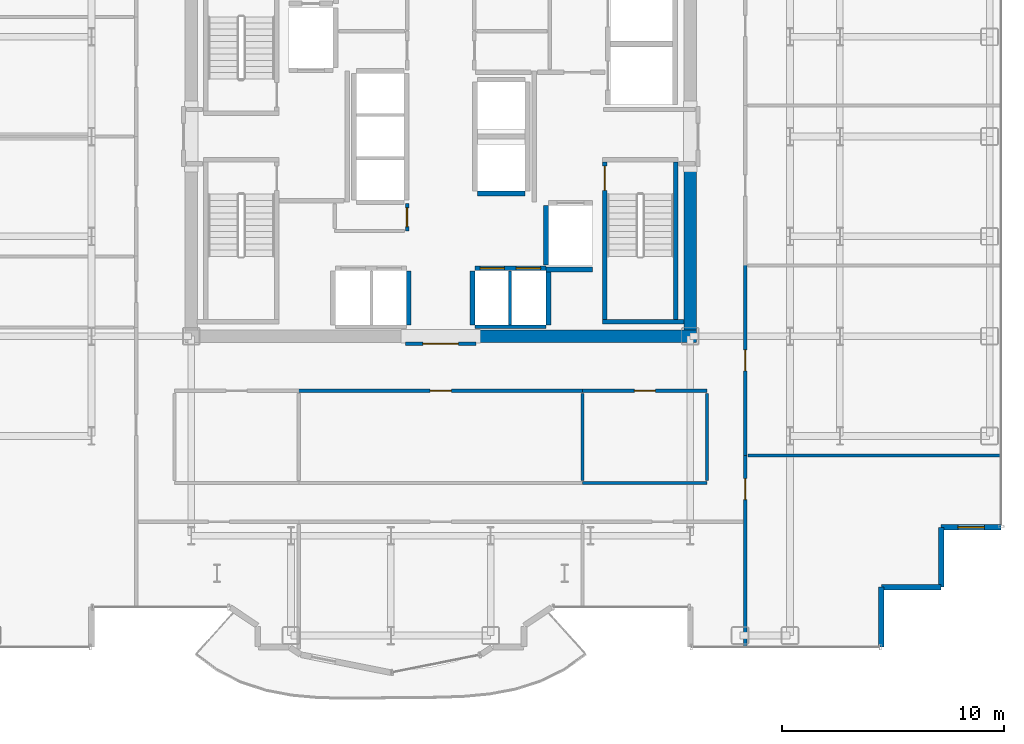
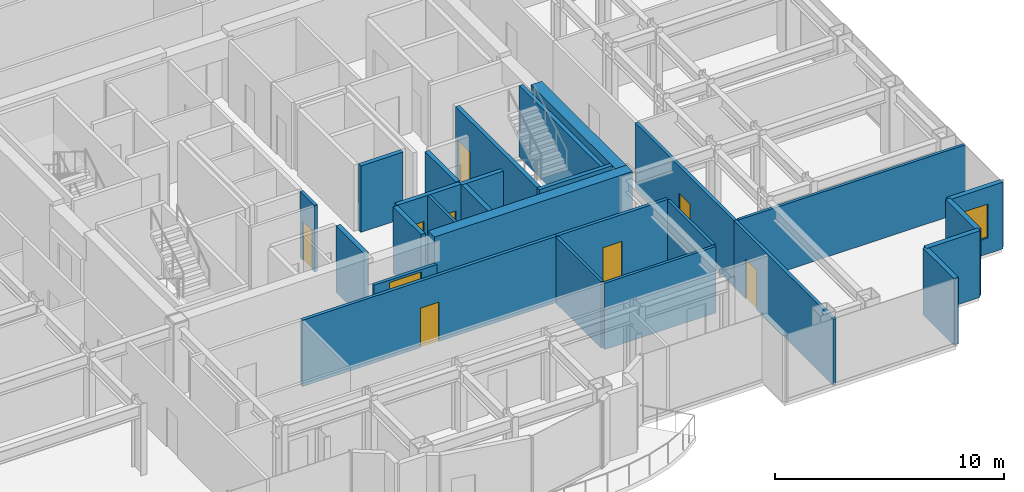
# One storey, part 17 of 22: 28 walls, 9 doors, 1 window, 10 openings.
"""IFC4 building model written with IfcOpenShell, lengths in metres."""

import ifcopenshell
import ifcopenshell.guid

model = None  # the IFC model being written
_history = None  # IfcOwnerHistory: only IFC2X3 demands one
_inside = {}  # id of a spatial element -> (the spatial element, [elements in it])
_under = {}  # id of a project, library or spatial element -> (it, [spatial elements below it])
_declared = {}  # id of a project -> (the project, [libraries it declares])
_typed = {}  # id of a type object -> (the type object, [elements of that type])
_made_of = {}  # id of a material, layer set ... -> (it, [elements and type objects made of it])


def new_model(schema):
    """Start an empty IFC model of exactly this schema.

    Asked for "IFC4X3", IfcOpenShell would pick the latest addendum, in which some entities
    have other attributes; the version numbers below select the first issue.
    IFC2X3 requires an IfcOwnerHistory on every rooted entity: one is made here for all.
    """
    global model, _history
    if schema == "IFC4X3":
        model = ifcopenshell.file(schema_version=(4, 3, 0, 0))
    else:
        model = ifcopenshell.file(schema=schema)
    _inside.clear()
    _under.clear()
    _declared.clear()
    _typed.clear()
    _made_of.clear()
    _history = None
    if model.schema == "IFC2X3":
        org = make("IfcOrganization", Name="unknown")
        user = make(
            "IfcPersonAndOrganization",
            ThePerson=make("IfcPerson", FamilyName="unknown"),
            TheOrganization=org,
        )
        app = make(
            "IfcApplication",
            ApplicationDeveloper=org,
            Version="unknown",
            ApplicationFullName="unknown",
            ApplicationIdentifier="unknown",
        )
        _history = make(
            "IfcOwnerHistory",
            OwningUser=user,
            OwningApplication=app,
            ChangeAction="ADDED",
            CreationDate=0,
        )
    return model


def make(cls, **values):
    """One entity of the class cls with the attributes given. An attribute that is None is left unset."""
    return model.create_entity(
        cls, **{name: value for name, value in values.items() if value is not None}
    )


def rooted(cls, **values):
    """An entity with a GlobalId (a new one), such as an element, a storey or a relation."""
    return make(cls, GlobalId=ifcopenshell.guid.new(), OwnerHistory=_history, **values)


def si_unit(unit_type, name, prefix=None):
    """IfcSIUnit, for example si_unit("LENGTHUNIT", "METRE", prefix="MILLI")."""
    return make("IfcSIUnit", UnitType=unit_type, Prefix=prefix, Name=name)


def assignment(units):
    """IfcUnitAssignment: the units of a project."""
    return None if units is None else make("IfcUnitAssignment", Units=units)


def point(xyz):
    """IfcCartesianPoint."""
    return None if xyz is None else make("IfcCartesianPoint", Coordinates=xyz)


def direction(xyz):
    """IfcDirection."""
    return None if xyz is None else make("IfcDirection", DirectionRatios=xyz)


def frame(location, z_axis=None, x_axis=None):
    """IfcAxis2Placement3D, a coordinate frame: its origin and axes. An axis left out is left unset."""
    return make(
        "IfcAxis2Placement3D",
        Location=point(location),
        Axis=direction(z_axis),
        RefDirection=direction(x_axis),
    )


def frame_2d(location, x_axis=None):
    """IfcAxis2Placement2D, a coordinate frame in the plane: its origin and x axis."""
    return make(
        "IfcAxis2Placement2D", Location=point(location), RefDirection=direction(x_axis)
    )


def origin():
    """The frame at (0, 0, 0) with its axes left unset."""
    return frame((0.0, 0.0, 0.0))


def place(relative_to, where):
    """IfcLocalPlacement: puts the frame where relative to a parent placement (None: the world)."""
    return make(
        "IfcLocalPlacement", PlacementRelTo=relative_to, RelativePlacement=where
    )


def context(
    kind, dimensions, precision=None, world=None, true_north=None, identifier=None
):
    """IfcGeometricRepresentationContext, for example the 3D "Model" context."""
    return make(
        "IfcGeometricRepresentationContext",
        ContextIdentifier=identifier,
        ContextType=kind,
        CoordinateSpaceDimension=dimensions,
        Precision=precision,
        WorldCoordinateSystem=world,
        TrueNorth=true_north,
    )


def subcontext(parent, identifier, kind, view, scale=None):
    """IfcGeometricRepresentationSubContext, for example "Body" below "Model"."""
    return make(
        "IfcGeometricRepresentationSubContext",
        ContextIdentifier=identifier,
        ContextType=kind,
        ParentContext=parent,
        TargetScale=scale,
        TargetView=view,
    )


def project(units=None, contexts=None):
    """IfcProject with its units and contexts."""
    return rooted(
        "IfcProject",
        Name="project",
        RepresentationContexts=contexts,
        UnitsInContext=assignment(units),
    )


def spatial(cls, under=None, at=None, **own):
    """A site, building, storey or space (cls), placed at a placement, below another one or the project."""
    s = rooted(cls, ObjectPlacement=at, **own)
    if under is not None:
        _under.setdefault(under.id(), (under, []))[1].append(s)
    return s


def profile(cls, at=None, kind="AREA", **sizes):
    """A parametric profile (cls). Its sizes go by their IFC names, for example OverallWidth=200.0."""
    return make(cls, ProfileType=kind, Position=at, **sizes)


def rectangle(**sizes):
    """IfcRectangleProfileDef."""
    return profile("IfcRectangleProfileDef", **sizes)


def extrude(swept, where, along, depth):
    """IfcExtrudedAreaSolid: the profile swept, set in the frame where, extruded along a direction by depth."""
    return make(
        "IfcExtrudedAreaSolid",
        SweptArea=swept,
        Position=where,
        ExtrudedDirection=direction(along),
        Depth=depth,
    )


def shape(context_of_items, identifier, shape_type, items):
    """IfcShapeRepresentation: the items that make up one representation, for example the "Body"."""
    return make(
        "IfcShapeRepresentation",
        ContextOfItems=context_of_items,
        RepresentationIdentifier=identifier,
        RepresentationType=shape_type,
        Items=items,
    )


def source(mapping_origin, context_of_items, identifier, shape_type, items):
    """IfcRepresentationMap: a shape defined once, which mapped items show again and again."""
    return make(
        "IfcRepresentationMap",
        MappingOrigin=mapping_origin,
        MappedRepresentation=shape(context_of_items, identifier, shape_type, items),
    )


def transform(
    local_origin,
    x_axis=None,
    y_axis=None,
    z_axis=None,
    scale=None,
    scale2=None,
    scale3=None,
    uniform=True,
):
    """IfcCartesianTransformationOperator3D, or its non-uniform kind. x_axis, y_axis, z_axis: its Axis1, 2, 3."""
    if uniform:
        return make(
            "IfcCartesianTransformationOperator3D",
            Axis1=direction(x_axis),
            Axis2=direction(y_axis),
            LocalOrigin=point(local_origin),
            Scale=scale,
            Axis3=direction(z_axis),
        )
    return make(
        "IfcCartesianTransformationOperator3DnonUniform",
        Axis1=direction(x_axis),
        Axis2=direction(y_axis),
        LocalOrigin=point(local_origin),
        Scale=scale,
        Axis3=direction(z_axis),
        Scale2=scale2,
        Scale3=scale3,
    )


def mapped(mapping_source, mapping_target):
    """IfcMappedItem: shows the shape of a source again, moved by a transform."""
    return make(
        "IfcMappedItem", MappingSource=mapping_source, MappingTarget=mapping_target
    )


def material(Name=None, Category=None):
    """IfcMaterial."""
    return make("IfcMaterial", Name=Name, Category=Category)


def layer(
    of_material, thickness, ventilated=None, Name=None, Category=None, Priority=None
):
    """IfcMaterialLayer: one layer of a wall or slab, of a material (None: an air gap)."""
    return make(
        "IfcMaterialLayer",
        Material=of_material,
        LayerThickness=thickness,
        IsVentilated=ventilated,
        Name=Name,
        Category=Category,
        Priority=Priority,
    )


def layer_set(layers, Name=None):
    """IfcMaterialLayerSet."""
    return make("IfcMaterialLayerSet", MaterialLayers=layers, LayerSetName=Name)


def made_of(thing, what):
    """Note that an element or type object is made of a material, layer set ...; save() writes the relation."""
    if what is not None:
        _made_of.setdefault(what.id(), (what, []))[1].append(thing)
    return thing


def type_object(cls, material=None, **own):
    """A type object (cls), such as IfcWallType, which elements share."""
    return made_of(rooted(cls, **own), material)


def element(
    cls,
    number,
    at=None,
    inside=None,
    cuts=None,
    type_object=None,
    material=None,
    context=None,
    identifier="Body",
    shape_type=None,
    held_by="IfcProductDefinitionShape",
    body=None,
    shapes=None,
    **own,
):
    """One element of the class cls, such as IfcWall. Its Tag is "e" and its number.

    at: its placement. inside: the storey or other place that contains it. cuts: it is an
    opening in that element (IfcRelVoidsElement). A single representation is given by context,
    identifier, shape_type and body (its items); several are given by shapes. held_by: the class
    of the entity that holds the representations. save() writes the other relations.
    """
    e = rooted(cls, Tag="e%d" % number, ObjectPlacement=at, **own)
    if body is not None:
        shapes = [shape(context, identifier, shape_type, body)]
    if shapes is not None:
        e.Representation = make(held_by, Representations=shapes)
    if inside is not None:
        _inside.setdefault(inside.id(), (inside, []))[1].append(e)
    if cuts is not None:
        rooted(
            "IfcRelVoidsElement", RelatingBuildingElement=cuts, RelatedOpeningElement=e
        )
    if type_object is not None:
        _typed.setdefault(type_object.id(), (type_object, []))[1].append(e)
    return made_of(e, material)


def fill(opening, filler):
    """IfcRelFillsElement: the door or window that sits in an opening."""
    return rooted(
        "IfcRelFillsElement",
        RelatingOpeningElement=opening,
        RelatedBuildingElement=filler,
    )


def aggregate(whole, parts):
    """IfcRelAggregates: a whole, such as a stair, and the parts it consists of."""
    return rooted("IfcRelAggregates", RelatingObject=whole, RelatedObjects=parts)


def save(model, path):
    """Write the relations noted so far, then the file.

    IfcRelAggregates (storeys below a building ...), IfcRelContainedInSpatialStructure (elements
    in a storey), IfcRelDefinesByType, IfcRelAssociatesMaterial and IfcRelDeclares: one each for
    every whole, place, type object, material and project.
    """
    for whole, parts in _under.values():
        aggregate(whole, parts)
    for where, things in _inside.values():
        rooted(
            "IfcRelContainedInSpatialStructure",
            RelatedElements=things,
            RelatingStructure=where,
        )
    for kind, things in _typed.values():
        rooted("IfcRelDefinesByType", RelatedObjects=things, RelatingType=kind)
    for what, things in _made_of.values():
        rooted("IfcRelAssociatesMaterial", RelatedObjects=things, RelatingMaterial=what)
    for by, libraries in _declared.values():
        rooted("IfcRelDeclares", RelatingContext=by, RelatedDefinitions=libraries)
    model.write(path)


model = new_model("IFC4")

# Units and contexts
model_context = context("Model", 3, precision=1e-05, world=origin(), true_north=direction((0.0, 1.0)))
body_context = subcontext(model_context, "Body", "Model", "MODEL_VIEW")
ifc_project = project(units=[si_unit("LENGTHUNIT", "METRE"), si_unit("AREAUNIT", "SQUARE_METRE"), si_unit("VOLUMEUNIT", "CUBIC_METRE"), si_unit("PLANEANGLEUNIT", "RADIAN"), si_unit("MASSUNIT", "GRAM", prefix="KILO")], contexts=[model_context])

# Site, building, storey
site_placement = place(None, origin())
site = spatial("IfcSite", under=ifc_project, at=site_placement, CompositionType="ELEMENT")
building_placement = place(site_placement, origin())
building = spatial("IfcBuilding", under=site, at=building_placement, Name="Nefas-Gora Pilgrimage Tower", CompositionType="ELEMENT")
storey_placement = place(building_placement, frame((0.0, 0.0, 186.800048828125)))
storey = spatial("IfcBuildingStorey", under=building, at=storey_placement, Name="L46", CompositionType="ELEMENT", Elevation=186.800048828125)

# Walls
ifc_material_1 = material(Name="Concrete C60/75", Category="concrete")
ifc_layer_1 = layer(ifc_material_1, 0.550048828125)
ifc_layer_set_1 = layer_set([ifc_layer_1], Name="Concrete C60/75")
wall_type_1 = type_object("IfcWallType", Name="SW-CORE-550", PredefinedType="SHEAR", material=ifc_layer_set_1)
shared_shape_1 = source(origin(), body_context, "Body", "SweptSolid", [
    extrude(rectangle(XDim=9.974853515625, YDim=0.550048828125, at=frame_2d((4.9873046875, 0.0))), origin(), (0.0, 0.0, 1.0), 3.800048828125),
])
wall_1_placement = place(storey_placement, frame((1.550048828125, -9.0, 0.0), z_axis=(0.0, 0.0, 1.0), x_axis=(1.0, 0.0, 0.0)))
element("IfcWall", 1, at=wall_1_placement, inside=storey, type_object=wall_type_1, Name="L46 Core Shear Wall S-East", PredefinedType="SHEAR", context=body_context, shape_type="MappedRepresentation", body=[
    mapped(shared_shape_1, transform((0.0, 0.0, 0.0), x_axis=(1.0, 0.0, 0.0), y_axis=(0.0, 1.0, 0.0), z_axis=(0.0, 0.0, 1.0), scale=1.0)),
])
shared_shape_2 = source(origin(), body_context, "Body", "SweptSolid", [
    extrude(rectangle(XDim=7.375, YDim=0.550048828125, at=frame_2d((3.6875, 0.0))), origin(), (0.0, 0.0, 1.0), 3.800048828125),
])
wall_2_placement = place(storey_placement, frame((11.25, -8.72509765625, 0.0), z_axis=(0.0, 0.0, 1.0), x_axis=(0.0, 1.0, 0.0)))
element("IfcWall", 2, at=wall_2_placement, inside=storey, type_object=wall_type_1, Name="L46 Core Shear Wall E-South", PredefinedType="SHEAR", context=body_context, shape_type="MappedRepresentation", body=[
    mapped(shared_shape_2, transform((0.0, 0.0, 0.0), x_axis=(1.0, 0.0, 0.0), y_axis=(0.0, 1.0, 0.0), z_axis=(0.0, 0.0, 1.0), scale=1.0)),
])
ifc_material_2 = material(Name="Precast concrete C45/55", Category="concrete")
ifc_layer_2 = layer(ifc_material_2, 0.239990234375)
ifc_layer_set_2 = layer_set([ifc_layer_2], Name="Precast concrete C45/55")
wall_type_2 = type_object("IfcWallType", Name="EW-SERR-240", PredefinedType="SHEAR", material=ifc_layer_set_2)
shared_shape_3 = source(origin(), body_context, "Body", "SweptSolid", [
    extrude(rectangle(XDim=2.699951171875, YDim=0.239990234375, at=frame_2d((1.35009765625, 0.0))), origin(), (0.0, 0.0, 1.0), 3.550048828125),
])
for number, where, z_axis, x_axis, name in (
    (3, (19.8701171875, -23.02001953125, 0.0), (0.0, 0.0, 1.0), (0.0, 1.0, 0.0), "L46 Serrated Corner Shear Pier Wall 2"),
    (4, (19.8701171875, -20.320068359375, 0.0), (0.0, 0.0, 1.0), (1.0, 0.0, 0.0), "L46 Serrated Corner Shear Pier Wall 3"),
    (5, (22.570068359375, -20.320068359375, 0.0), (0.0, 0.0, 1.0), (0.0, 1.0, 0.0), "L46 Serrated Corner Shear Pier Wall 4"),
):
    element("IfcWall", number, at=place(storey_placement, frame(where, z_axis=z_axis, x_axis=x_axis)), inside=storey, type_object=wall_type_2, Name=name, PredefinedType="SHEAR", context=body_context, shape_type="MappedRepresentation", body=[
        mapped(shared_shape_3, transform((0.0, 0.0, 0.0), x_axis=(1.0, 0.0, 0.0), y_axis=(0.0, 1.0, 0.0), z_axis=(0.0, 0.0, 1.0), scale=1.0)),
    ])

# Wall, opening, window
wall_3_placement = place(storey_placement, frame((22.570068359375, -17.6201171875, 0.0), z_axis=(0.0, 0.0, 1.0), x_axis=(1.0, 0.0, 0.0)))
wall_3 = element("IfcWall", 6, at=wall_3_placement, inside=storey, type_object=wall_type_2, Name="L46 Serrated Corner Shear Pier Wall 5", PredefinedType="SHEAR", context=body_context, shape_type="MappedRepresentation", body=[
    mapped(shared_shape_3, transform((0.0, 0.0, 0.0), x_axis=(1.0, 0.0, 0.0), y_axis=(0.0, 1.0, 0.0), z_axis=(0.0, 0.0, 1.0), scale=1.0)),
])
opening_1_placement = place(wall_3_placement, frame((0.75, 0.0, 0.85009765625)))
opening_1 = element("IfcOpeningElement", 7, at=opening_1_placement, cuts=wall_3, Name="Opening W-V1", PredefinedType="OPENING", context=body_context, shape_type="SweptSolid", body=[
    extrude(rectangle(XDim=1.199951171875, YDim=1.800048828125, at=frame_2d((0.60009765625, 0.89990234375))), frame((0.0, 0.1298828125, 0.0), z_axis=(0.0, -1.0, 0.0), x_axis=(1.0, 0.0, 0.0)), (0.0, 0.0, 1.0), 0.260009765625),
])
ifc_material_3 = material(Name="Dark ceramic-fritted operable aluminium-glass window", Category="aluminium")
window_type = type_object("IfcWindowType", Name="WIN-VENT-1200x1800", PartitioningType="SINGLE_PANEL", PredefinedType="WINDOW", material=ifc_material_3)
shared_shape_4 = source(origin(), body_context, "Body", "SweptSolid", [
    extrude(rectangle(XDim=1.199951171875, YDim=1.800048828125, at=frame_2d((0.60009765625, 0.89990234375))), frame((0.0, 0.030029296875, 0.0), z_axis=(0.0, -1.0, 0.0), x_axis=(1.0, 0.0, 0.0)), (0.0, 0.0, 1.0), 0.06005859375),
])
window_placement = place(opening_1_placement, origin())
window = element("IfcWindow", 8, at=window_placement, inside=storey, type_object=window_type, Name="L46 Operable Parallel-Outswing Window 5", OverallHeight=1.800048828125, OverallWidth=1.199951171875, PartitioningType="SINGLE_PANEL", PredefinedType="WINDOW", context=body_context, shape_type="MappedRepresentation", body=[
    mapped(shared_shape_4, transform((0.0, 0.0, 0.0), x_axis=(1.0, 0.0, 0.0), y_axis=(0.0, 1.0, 0.0), z_axis=(0.0, 0.0, 1.0), scale=1.0)),
])
fill(opening_1, window)

# Wall, opening, door
ifc_material_4 = material(Name="Concrete C45/55", Category="concrete")
ifc_layer_3 = layer(ifc_material_4, 0.199951171875)
ifc_layer_set_3 = layer_set([ifc_layer_3], Name="Concrete C45/55")
wall_type_3 = type_object("IfcWallType", Name="IW-STAIR-200", PredefinedType="SOLIDWALL", material=ifc_layer_set_3)
shared_shape_5 = source(origin(), body_context, "Body", "SweptSolid", [
    extrude(rectangle(XDim=7.10009765625, YDim=0.199951171875, at=frame_2d((3.550048828125, 0.0))), origin(), (0.0, 0.0, 1.0), 3.800048828125),
])
wall_4_placement = place(storey_placement, frame((7.39990234375, -1.14990234375, 0.0), z_axis=(0.0, 0.0, 1.0), x_axis=(0.0, -1.0, 0.0)))
wall_4 = element("IfcWall", 9, at=wall_4_placement, inside=storey, type_object=wall_type_3, Name="L46 Stairwell Shear Wall ST-02-left", PredefinedType="SOLIDWALL", context=body_context, shape_type="MappedRepresentation", body=[
    mapped(shared_shape_5, transform((0.0, 0.0, 0.0), x_axis=(1.0, 0.0, 0.0), y_axis=(0.0, 1.0, 0.0), z_axis=(0.0, 0.0, 1.0), scale=1.0)),
])
opening_2_placement = place(wall_4_placement, frame((0.179931640625, 0.0, 0.0)))
opening_2 = element("IfcOpeningElement", 10, at=opening_2_placement, cuts=wall_4, Name="Opening ID-ST1", PredefinedType="OPENING", context=body_context, shape_type="SweptSolid", body=[
    extrude(rectangle(XDim=1.10009765625, YDim=2.14990234375, at=frame_2d((0.550048828125, 1.074951171875))), frame((0.0, 0.10986328125, 0.0), z_axis=(0.0, -1.0, 0.0), x_axis=(1.0, 0.0, 0.0)), (0.0, 0.0, 1.0), 0.219970703125),
])
ifc_material_5 = material(Name="Painted galvanised steel fire stair door", Category="steel")
door_type_1 = type_object("IfcDoorType", Name="DR-INT-STAIR-1100", OperationType="NOTDEFINED", PredefinedType="DOOR", material=ifc_material_5)
shared_shape_6 = source(origin(), body_context, "Body", "SweptSolid", [
    extrude(rectangle(XDim=1.10009765625, YDim=2.14990234375, at=frame_2d((0.550048828125, 1.074951171875))), frame((0.0, 0.02490234375, 0.0), z_axis=(0.0, -1.0, 0.0), x_axis=(1.0, 0.0, 0.0)), (0.0, 0.0, 1.0), 0.050048828125),
])
door_1_placement = place(opening_2_placement, origin())
door_1 = element("IfcDoor", 11, at=door_1_placement, inside=storey, type_object=door_type_1, Name="L46 Protected Exit Stair Door ST-02", OperationType="SINGLE_SWING_LEFT", OverallHeight=2.14990234375, OverallWidth=1.10009765625, PredefinedType="DOOR", context=body_context, shape_type="MappedRepresentation", body=[
    mapped(shared_shape_6, transform((0.0, 0.0, 0.0), x_axis=(1.0, 0.0, 0.0), y_axis=(0.0, 1.0, 0.0), z_axis=(0.0, 0.0, 1.0), scale=1.0)),
])
fill(opening_2, door_1)

# Walls
wall_5_placement = place(storey_placement, frame((10.60009765625, -1.14990234375, 0.0), z_axis=(0.0, 0.0, 1.0), x_axis=(0.0, -1.0, 0.0)))
element("IfcWall", 12, at=wall_5_placement, inside=storey, type_object=wall_type_3, Name="L46 Stairwell Shear Wall ST-02-right", PredefinedType="SOLIDWALL", context=body_context, shape_type="MappedRepresentation", body=[
    mapped(shared_shape_5, transform((0.0, 0.0, 0.0), x_axis=(1.0, 0.0, 0.0), y_axis=(0.0, 1.0, 0.0), z_axis=(0.0, 0.0, 1.0), scale=1.0)),
])
shared_shape_7 = source(origin(), body_context, "Body", "SweptSolid", [
    extrude(rectangle(XDim=3.679931640625, YDim=0.199951171875, at=frame_2d((1.83984375, 0.0))), origin(), (0.0, 0.0, 1.0), 3.800048828125),
])
wall_6_placement = place(storey_placement, frame((7.300048828125, -8.35009765625, 0.0), z_axis=(0.0, 0.0, 1.0), x_axis=(1.0, 0.0, 0.0)))
element("IfcWall", 13, at=wall_6_placement, inside=storey, type_object=wall_type_3, Name="L46 Stairwell Shear Wall ST-02-far", PredefinedType="SOLIDWALL", context=body_context, shape_type="MappedRepresentation", body=[
    mapped(shared_shape_7, transform((0.0, 0.0, 0.0), x_axis=(1.0, 0.0, 0.0), y_axis=(0.0, 1.0, 0.0), z_axis=(0.0, 0.0, 1.0), scale=1.0)),
])
ifc_material_6 = material(Name="Concrete C40/50", Category="concrete")
ifc_layer_4 = layer(ifc_material_6, 0.219970703125)
ifc_layer_set_4 = layer_set([ifc_layer_4], Name="Concrete C40/50")
wall_type_4 = type_object("IfcWallType", Name="IW-SHAFT-220", PredefinedType="SOLIDWALL", material=ifc_layer_set_4)
shared_shape_8 = source(origin(), body_context, "Body", "SweptSolid", [
    extrude(rectangle(XDim=2.679931640625, YDim=0.219970703125, at=frame_2d((1.33984375, 0.0))), origin(), (0.0, 0.0, 1.0), 3.534912109375),
])
wall_7_placement = place(storey_placement, frame((4.739990234375, -3.110107421875, 0.0), z_axis=(0.0, 0.0, 1.0), x_axis=(0.0, -1.0, 0.0)))
element("IfcWall", 14, at=wall_7_placement, inside=storey, type_object=wall_type_4, Name="L46 Hoistway Wall FFL-02-W", PredefinedType="SOLIDWALL", context=body_context, shape_type="MappedRepresentation", body=[
    mapped(shared_shape_8, transform((0.0, 0.0, 0.0), x_axis=(1.0, 0.0, 0.0), y_axis=(0.0, 1.0, 0.0), z_axis=(0.0, 0.0, 1.0), scale=1.0)),
])

# Wall, openings, doors
shared_shape_9 = source(origin(), body_context, "Body", "SweptSolid", [
    extrude(rectangle(XDim=3.199951171875, YDim=0.219970703125, at=frame_2d((1.60009765625, 0.0))), origin(), (0.0, 0.0, 1.0), 3.534912109375),
])
wall_8_placement = place(storey_placement, frame((4.75, -5.93994140625, 0.0), z_axis=(0.0, 0.0, 1.0), x_axis=(-1.0, 0.0, 0.0)))
wall_8 = element("IfcWall", 15, at=wall_8_placement, inside=storey, type_object=wall_type_4, Name="L46 Hoistway Wall PL2-E-N", PredefinedType="SOLIDWALL", context=body_context, shape_type="MappedRepresentation", body=[
    mapped(shared_shape_9, transform((0.0, 0.0, 0.0), x_axis=(1.0, 0.0, 0.0), y_axis=(0.0, 1.0, 0.0), z_axis=(0.0, 0.0, 1.0), scale=1.0)),
])
opening_3_placement = place(wall_8_placement, frame((1.875, 0.0, 0.0)))
opening_3 = element("IfcOpeningElement", 16, at=opening_3_placement, cuts=wall_8, Name="Opening LD-01", PredefinedType="OPENING", context=body_context, shape_type="SweptSolid", body=[
    extrude(rectangle(XDim=1.10009765625, YDim=2.199951171875, at=frame_2d((0.550048828125, 1.10009765625))), frame((0.0, 0.119873046875, 0.0), z_axis=(0.0, -1.0, 0.0), x_axis=(1.0, 0.0, 0.0)), (0.0, 0.0, 1.0), 0.239990234375),
])
opening_4_placement = place(wall_8_placement, frame((0.25, 0.0, 0.0)))
opening_4 = element("IfcOpeningElement", 17, at=opening_4_placement, cuts=wall_8, Name="Opening LD-01", PredefinedType="OPENING", context=body_context, shape_type="SweptSolid", body=[
    extrude(rectangle(XDim=1.10009765625, YDim=2.199951171875, at=frame_2d((0.550048828125, 1.10009765625))), frame((0.0, 0.119873046875, 0.0), z_axis=(0.0, -1.0, 0.0), x_axis=(1.0, 0.0, 0.0)), (0.0, 0.0, 1.0), 0.239990234375),
])
ifc_material_7 = material(Name="Brushed stainless sliding lift landing door")
door_type_2 = type_object("IfcDoorType", Name="DR-LIFT-PASS-1100", OperationType="DOUBLE_DOOR_SLIDING", PredefinedType="DOOR", material=ifc_material_7)
shared_shape_10 = source(origin(), body_context, "Body", "SweptSolid", [
    extrude(rectangle(XDim=1.10009765625, YDim=2.199951171875, at=frame_2d((0.550048828125, 1.10009765625))), frame((0.0, 0.02490234375, 0.0), z_axis=(0.0, -1.0, 0.0), x_axis=(1.0, 0.0, 0.0)), (0.0, 0.0, 1.0), 0.050048828125),
])
door_2_placement = place(opening_3_placement, origin())
door_2 = element("IfcDoor", 18, at=door_2_placement, inside=storey, type_object=door_type_2, Name="L46 Sliding Lift Landing Door PL2-03", OperationType="DOUBLE_DOOR_SLIDING", OverallHeight=2.199951171875, OverallWidth=1.10009765625, PredefinedType="DOOR", context=body_context, shape_type="MappedRepresentation", body=[
    mapped(shared_shape_10, transform((0.0, 0.0, 0.0), x_axis=(1.0, 0.0, 0.0), y_axis=(0.0, 1.0, 0.0), z_axis=(0.0, 0.0, 1.0), scale=1.0)),
])
fill(opening_3, door_2)
door_3_placement = place(opening_4_placement, origin())
door_3 = element("IfcDoor", 19, at=door_3_placement, inside=storey, type_object=door_type_2, Name="L46 Sliding Lift Landing Door PL2-04", OperationType="DOUBLE_DOOR_SLIDING", OverallHeight=2.199951171875, OverallWidth=1.10009765625, PredefinedType="DOOR", context=body_context, shape_type="MappedRepresentation", body=[
    mapped(shared_shape_10, transform((0.0, 0.0, 0.0), x_axis=(1.0, 0.0, 0.0), y_axis=(0.0, 1.0, 0.0), z_axis=(0.0, 0.0, 1.0), scale=1.0)),
])
fill(opening_4, door_3)

# Walls
ifc_material_8 = material(Name="Gypsum acoustic stud partition")
ifc_layer_5 = layer(ifc_material_8, 0.159912109375)
ifc_layer_set_5 = layer_set([ifc_layer_5], Name="Gypsum acoustic stud partition")
wall_type_5 = type_object("IfcWallType", Name="IW-CORR-160", PredefinedType="PARTITIONING", material=ifc_layer_set_5)
shared_shape_11 = source(origin(), body_context, "Body", "SweptSolid", [
    extrude(rectangle(XDim=3.199951171875, YDim=0.159912109375, at=frame_2d((1.60009765625, 0.0))), origin(), (0.0, 0.0, 1.0), 2.425048828125),
])
wall_9_placement = place(storey_placement, frame((1.550048828125, -8.580078125, 0.0), z_axis=(0.0, 0.0, 1.0), x_axis=(1.0, 0.0, 0.0)))
element("IfcWall", 20, at=wall_9_placement, inside=storey, type_object=wall_type_5, Name="L46 Hoistway Wall PL2-E-S", PredefinedType="PARTITIONING", context=body_context, shape_type="MappedRepresentation", body=[
    mapped(shared_shape_11, transform((0.0, 0.0, 0.0), x_axis=(1.0, 0.0, 0.0), y_axis=(0.0, 1.0, 0.0), z_axis=(0.0, 0.0, 1.0), scale=1.0)),
])
shared_shape_12 = source(origin(), body_context, "Body", "SweptSolid", [
    extrude(rectangle(XDim=2.429931640625, YDim=0.219970703125, at=frame_2d((1.21484375, 0.0))), origin(), (0.0, 0.0, 1.0), 3.534912109375),
])
for number, where, z_axis, x_axis, name in (
    (21, (-1.43994140625, -8.489990234375, 0.0), (0.0, 0.0, 1.0), (0.0, 1.0, 0.0), "L46 Hoistway Wall PL2-W-E"),
    (22, (1.43994140625, -6.06005859375, 0.0), (0.0, 0.0, 1.0), (0.0, -1.0, 0.0), "L46 Hoistway Wall PL2-E-W"),
    (23, (4.860107421875, -8.489990234375, 0.0), (0.0, 0.0, 1.0), (0.0, 1.0, 0.0), "L46 Hoistway Wall PL2-E-E"),
):
    element("IfcWall", number, at=place(storey_placement, frame(where, z_axis=z_axis, x_axis=x_axis)), inside=storey, type_object=wall_type_4, Name=name, PredefinedType="SOLIDWALL", context=body_context, shape_type="MappedRepresentation", body=[
        mapped(shared_shape_12, transform((0.0, 0.0, 0.0), x_axis=(1.0, 0.0, 0.0), y_axis=(0.0, 1.0, 0.0), z_axis=(0.0, 0.0, 1.0), scale=1.0)),
    ])
ifc_material_9 = material(Name="Gypsum twin-stud partition")
ifc_layer_6 = layer(ifc_material_9, 0.139892578125)
ifc_layer_set_6 = layer_set([ifc_layer_6], Name="Gypsum twin-stud partition")
wall_type_6 = type_object("IfcWallType", Name="IW-UNIT-140", PredefinedType="PARTITIONING", material=ifc_layer_set_6)
shared_shape_13 = source(origin(), body_context, "Body", "SweptSolid", [
    extrude(rectangle(XDim=2.429931640625, YDim=0.139892578125, at=frame_2d((1.21484375, 0.0))), origin(), (0.0, 0.0, 1.0), 3.534912109375),
])
wall_10_placement = place(storey_placement, frame((3.125, -8.489990234375, 0.0), z_axis=(0.0, 0.0, 1.0), x_axis=(0.0, 1.0, 0.0)))
element("IfcWall", 24, at=wall_10_placement, inside=storey, type_object=wall_type_6, Name="L46 Hoistway Wall PL2-E-DIV", PredefinedType="PARTITIONING", context=body_context, shape_type="MappedRepresentation", body=[
    mapped(shared_shape_13, transform((0.0, 0.0, 0.0), x_axis=(1.0, 0.0, 0.0), y_axis=(0.0, 1.0, 0.0), z_axis=(0.0, 0.0, 1.0), scale=1.0)),
])
shared_shape_14 = source(origin(), body_context, "Body", "SweptSolid", [
    extrude(rectangle(XDim=2.130126953125, YDim=0.219970703125, at=frame_2d((1.06494140625, 0.0))), origin(), (0.0, 0.0, 1.0), 3.534912109375),
])
wall_11_placement = place(storey_placement, frame((1.659912109375, -2.56005859375, 0.0), z_axis=(0.0, 0.0, 1.0), x_axis=(1.0, 0.0, 0.0)))
element("IfcWall", 25, at=wall_11_placement, inside=storey, type_object=wall_type_4, Name="L46 Hoistway Wall OBS-01-S", PredefinedType="SOLIDWALL", context=body_context, shape_type="MappedRepresentation", body=[
    mapped(shared_shape_14, transform((0.0, 0.0, 0.0), x_axis=(1.0, 0.0, 0.0), y_axis=(0.0, 1.0, 0.0), z_axis=(0.0, 0.0, 1.0), scale=1.0)),
])
shared_shape_15 = source(origin(), body_context, "Body", "SweptSolid", [
    extrude(rectangle(XDim=2.09521484375, YDim=0.219970703125, at=frame_2d((1.047607421875, 0.0))), origin(), (0.0, 0.0, 1.0), 3.534912109375),
])
wall_12_placement = place(storey_placement, frame((4.7548828125, -6.0, 0.0), z_axis=(0.0, 0.0, 1.0), x_axis=(1.0, 0.0, 0.0)))
element("IfcWall", 26, at=wall_12_placement, inside=storey, type_object=wall_type_4, Name="L46 Riser Shaft Wall 3", PredefinedType="SOLIDWALL", context=body_context, shape_type="MappedRepresentation", body=[
    mapped(shared_shape_15, transform((0.0, 0.0, 0.0), x_axis=(1.0, 0.0, 0.0), y_axis=(0.0, 1.0, 0.0), z_axis=(0.0, 0.0, 1.0), scale=1.0)),
])

# Wall, opening, door
shared_shape_16 = source(origin(), body_context, "Body", "SweptSolid", [
    extrude(rectangle(XDim=1.25, YDim=0.159912109375, at=frame_2d((0.625, 0.0))), origin(), (0.0, 0.0, 1.0), 3.534912109375),
])
wall_13_placement = place(storey_placement, frame((-1.52001953125, -4.260009765625, 0.0), z_axis=(0.0, 0.0, 1.0), x_axis=(0.0, 1.0, 0.0)))
wall_13 = element("IfcWall", 27, at=wall_13_placement, inside=storey, type_object=wall_type_5, Name="L46 Guest Self-Service Laundry Room Wall 26", PredefinedType="PARTITIONING", context=body_context, shape_type="MappedRepresentation", body=[
    mapped(shared_shape_16, transform((0.0, 0.0, 0.0), x_axis=(1.0, 0.0, 0.0), y_axis=(0.0, 1.0, 0.0), z_axis=(0.0, 0.0, 1.0), scale=1.0)),
])
opening_5_placement = place(wall_13_placement, frame((0.199951171875, 0.0, 0.0)))
opening_5 = element("IfcOpeningElement", 28, at=opening_5_placement, cuts=wall_13, Name="Opening ID-BT1", PredefinedType="OPENING", context=body_context, shape_type="SweptSolid", body=[
    extrude(rectangle(XDim=0.85009765625, YDim=2.10009765625, at=frame_2d((0.425048828125, 1.050048828125))), frame((0.0, 0.08984375, 0.0), z_axis=(0.0, -1.0, 0.0), x_axis=(1.0, 0.0, 0.0)), (0.0, 0.0, 1.0), 0.179931640625),
])
ifc_material_10 = material(Name="Moisture-resistant fire-rated timber door", Category="wood")
door_type_3 = type_object("IfcDoorType", Name="DR-INT-BATH-850", OperationType="NOTDEFINED", PredefinedType="DOOR", material=ifc_material_10)
shared_shape_17 = source(origin(), body_context, "Body", "SweptSolid", [
    extrude(rectangle(XDim=0.85009765625, YDim=2.10009765625, at=frame_2d((0.425048828125, 1.050048828125))), frame((0.0, 0.02490234375, 0.0), z_axis=(0.0, -1.0, 0.0), x_axis=(1.0, 0.0, 0.0)), (0.0, 0.0, 1.0), 0.050048828125),
])
door_4_placement = place(opening_5_placement, origin())
door_4 = element("IfcDoor", 29, at=door_4_placement, inside=storey, type_object=door_type_3, Name="L46 Guest Self-Service Laundry Room Door 11", OperationType="SINGLE_SWING_RIGHT", OverallHeight=2.10009765625, OverallWidth=0.85009765625, PredefinedType="DOOR", context=body_context, shape_type="MappedRepresentation", body=[
    mapped(shared_shape_17, transform((0.0, 0.0, 0.0), x_axis=(1.0, 0.0, 0.0), y_axis=(0.0, 1.0, 0.0), z_axis=(0.0, 0.0, 1.0), scale=1.0)),
])
fill(opening_5, door_4)

shared_shape_18 = source(origin(), body_context, "Body", "SweptSolid", [
    extrude(rectangle(XDim=3.16015625, YDim=0.159912109375, at=frame_2d((1.580078125, 0.0))), origin(), (0.0, 0.0, 1.0), 2.425048828125),
])
wall_14_placement = place(storey_placement, frame((-1.580078125, -9.35009765625, 0.0), z_axis=(0.0, 0.0, 1.0), x_axis=(1.0, 0.0, 0.0)))
wall_14 = element("IfcWall", 30, at=wall_14_placement, inside=storey, type_object=wall_type_5, Name="L46 Central Lift Lobby South Portal Wall 16", PredefinedType="PARTITIONING", context=body_context, shape_type="MappedRepresentation", body=[
    mapped(shared_shape_18, transform((0.0, 0.0, 0.0), x_axis=(1.0, 0.0, 0.0), y_axis=(0.0, 1.0, 0.0), z_axis=(0.0, 0.0, 1.0), scale=1.0)),
])
opening_6_placement = place(wall_14_placement, frame((0.780029296875, 0.0, 0.0)))
opening_6 = element("IfcOpeningElement", 31, at=opening_6_placement, cuts=wall_14, Name="Opening ID-HL1", PredefinedType="OPENING", context=body_context, shape_type="SweptSolid", body=[
    extrude(rectangle(XDim=1.60009765625, YDim=2.300048828125, at=frame_2d((0.800048828125, 1.14990234375))), frame((0.0, 0.08984375, 0.0), z_axis=(0.0, -1.0, 0.0), x_axis=(1.0, 0.0, 0.0)), (0.0, 0.0, 1.0), 0.179931640625),
])
ifc_material_11 = material(Name="Double acoustic timber assembly hall door", Category="wood")
door_type_4 = type_object("IfcDoorType", Name="DR-INT-HALL-1600", OperationType="DOUBLE_DOOR_SINGLE_SWING", PredefinedType="DOOR", material=ifc_material_11)
shared_shape_19 = source(origin(), body_context, "Body", "SweptSolid", [
    extrude(rectangle(XDim=1.60009765625, YDim=2.300048828125, at=frame_2d((0.800048828125, 1.14990234375))), frame((0.0, 0.02490234375, 0.0), z_axis=(0.0, -1.0, 0.0), x_axis=(1.0, 0.0, 0.0)), (0.0, 0.0, 1.0), 0.050048828125),
])
door_5_placement = place(opening_6_placement, origin())
door_5 = element("IfcDoor", 32, at=door_5_placement, inside=storey, type_object=door_type_4, Name="L46 Central Lift Lobby South Portal Door 6", OperationType="DOUBLE_DOOR_SINGLE_SWING", OverallHeight=2.300048828125, OverallWidth=1.60009765625, PredefinedType="DOOR", context=body_context, shape_type="MappedRepresentation", body=[
    mapped(shared_shape_19, transform((0.0, 0.0, 0.0), x_axis=(1.0, 0.0, 0.0), y_axis=(0.0, 1.0, 0.0), z_axis=(0.0, 0.0, 1.0), scale=1.0)),
])
fill(opening_6, door_5)

# Walls
shared_shape_20 = source(origin(), body_context, "Body", "SweptSolid", [
    extrude(rectangle(XDim=11.429931640625, YDim=0.139892578125, at=frame_2d((5.71484375, 0.0))), origin(), (0.0, 0.0, 1.0), 3.534912109375),
])
wall_15_placement = place(storey_placement, frame((13.860107421875, -14.37744140625, 0.0), z_axis=(0.0, 0.0, 1.0), x_axis=(1.0, 0.0, 0.0)))
element("IfcWall", 33, at=wall_15_placement, inside=storey, type_object=wall_type_6, Name="L46 Pilgrim Contemplative Lounge Partition Wall 44", PredefinedType="PARTITIONING", context=body_context, shape_type="MappedRepresentation", body=[
    mapped(shared_shape_20, transform((0.0, 0.0, 0.0), x_axis=(1.0, 0.0, 0.0), y_axis=(0.0, 1.0, 0.0), z_axis=(0.0, 0.0, 1.0), scale=1.0)),
])
shared_shape_21 = source(origin(), body_context, "Body", "SweptSolid", [
    extrude(rectangle(XDim=3.929931640625, YDim=0.139892578125, at=frame_2d((1.96484375, 0.0))), origin(), (0.0, 0.0, 1.0), 3.534912109375),
])
for number, where, z_axis, x_axis, name in (
    (34, (6.39501953125, -15.52001953125, 0.0), (0.0, 0.0, 1.0), (0.0, 1.0, 0.0), "L46 Pilgrim Contemplative Lounge Partition Wall 78"),
    (35, (12.0, -15.52001953125, 0.0), (0.0, 0.0, 1.0), (0.0, 1.0, 0.0), "L46 Pilgrim Contemplative Lounge Partition Wall 82"),
):
    element("IfcWall", number, at=place(storey_placement, frame(where, z_axis=z_axis, x_axis=x_axis)), inside=storey, type_object=wall_type_6, Name=name, PredefinedType="PARTITIONING", context=body_context, shape_type="MappedRepresentation", body=[
        mapped(shared_shape_21, transform((0.0, 0.0, 0.0), x_axis=(1.0, 0.0, 0.0), y_axis=(0.0, 1.0, 0.0), z_axis=(0.0, 0.0, 1.0), scale=1.0)),
    ])

# Wall, opening, door
shared_shape_22 = source(origin(), body_context, "Body", "SweptSolid", [
    extrude(rectangle(XDim=8.652587890625, YDim=0.159912109375, at=frame_2d((4.326171875, 0.0))), origin(), (0.0, 0.0, 1.0), 3.534912109375),
])
wall_16_placement = place(storey_placement, frame((13.739990234375, -23.0400390625, 0.0), z_axis=(0.0, 0.0, 1.0), x_axis=(0.0, 1.0, 0.0)))
wall_16 = element("IfcWall", 36, at=wall_16_placement, inside=storey, type_object=wall_type_5, Name="L46 Pilgrim Contemplative Lounge Partition Wall 46", PredefinedType="PARTITIONING", context=body_context, shape_type="MappedRepresentation", body=[
    mapped(shared_shape_22, transform((0.0, 0.0, 0.0), x_axis=(1.0, 0.0, 0.0), y_axis=(0.0, 1.0, 0.0), z_axis=(0.0, 0.0, 1.0), scale=1.0)),
])
opening_7_placement = place(wall_16_placement, frame((6.666259765625, 0.0, 0.0)))
opening_7 = element("IfcOpeningElement", 37, at=opening_7_placement, cuts=wall_16, Name="Opening ID-GR1", PredefinedType="OPENING", context=body_context, shape_type="SweptSolid", body=[
    extrude(rectangle(XDim=0.949951171875, YDim=2.10009765625, at=frame_2d((0.47509765625, 1.050048828125))), frame((0.0, 0.08984375, 0.0), z_axis=(0.0, -1.0, 0.0), x_axis=(1.0, 0.0, 0.0)), (0.0, 0.0, 1.0), 0.179931640625),
])
ifc_material_12 = material(Name="Solid core oak fire-rated guest entrance door")
door_type_5 = type_object("IfcDoorType", Name="DR-INT-GUEST-950", OperationType="NOTDEFINED", PredefinedType="DOOR", material=ifc_material_12)
shared_shape_23 = source(origin(), body_context, "Body", "SweptSolid", [
    extrude(rectangle(XDim=0.949951171875, YDim=2.10009765625, at=frame_2d((0.47509765625, 1.050048828125))), frame((0.0, 0.02490234375, 0.0), z_axis=(0.0, -1.0, 0.0), x_axis=(1.0, 0.0, 0.0)), (0.0, 0.0, 1.0), 0.050048828125),
])
door_6_placement = place(opening_7_placement, origin())
door_6 = element("IfcDoor", 38, at=door_6_placement, inside=storey, type_object=door_type_5, Name="L46 Pilgrim Contemplative Lounge Door 20", OperationType="SINGLE_SWING_LEFT", OverallHeight=2.10009765625, OverallWidth=0.949951171875, PredefinedType="DOOR", context=body_context, shape_type="MappedRepresentation", body=[
    mapped(shared_shape_23, transform((0.0, 0.0, 0.0), x_axis=(1.0, 0.0, 0.0), y_axis=(0.0, 1.0, 0.0), z_axis=(0.0, 0.0, 1.0), scale=1.0)),
])
fill(opening_7, door_6)

shared_shape_24 = source(origin(), body_context, "Body", "SweptSolid", [
    extrude(rectangle(XDim=8.592529296875, YDim=0.159912109375, at=frame_2d((4.29638671875, 0.0))), origin(), (0.0, 0.0, 1.0), 3.534912109375),
])
wall_17_placement = place(storey_placement, frame((13.739990234375, -14.387451171875, 0.0), z_axis=(0.0, 0.0, 1.0), x_axis=(0.0, 1.0, 0.0)))
wall_17 = element("IfcWall", 39, at=wall_17_placement, inside=storey, type_object=wall_type_5, Name="L46 Pilgrim Contemplative Lounge Partition Wall 43", PredefinedType="PARTITIONING", context=body_context, shape_type="MappedRepresentation", body=[
    mapped(shared_shape_24, transform((0.0, 0.0, 0.0), x_axis=(1.0, 0.0, 0.0), y_axis=(0.0, 1.0, 0.0), z_axis=(0.0, 0.0, 1.0), scale=1.0)),
])
opening_8_placement = place(wall_17_placement, frame((3.8212890625, 0.0, 0.0)))
opening_8 = element("IfcOpeningElement", 40, at=opening_8_placement, cuts=wall_17, Name="Opening ID-GR1", PredefinedType="OPENING", context=body_context, shape_type="SweptSolid", body=[
    extrude(rectangle(XDim=0.949951171875, YDim=2.10009765625, at=frame_2d((0.47509765625, 1.050048828125))), frame((0.0, 0.08984375, 0.0), z_axis=(0.0, -1.0, 0.0), x_axis=(1.0, 0.0, 0.0)), (0.0, 0.0, 1.0), 0.179931640625),
])
door_7_placement = place(opening_8_placement, origin())
door_7 = element("IfcDoor", 41, at=door_7_placement, inside=storey, type_object=door_type_5, Name="L46 Pilgrim Contemplative Lounge Door 19", OperationType="SINGLE_SWING_RIGHT", OverallHeight=2.10009765625, OverallWidth=0.949951171875, PredefinedType="DOOR", context=body_context, shape_type="MappedRepresentation", body=[
    mapped(shared_shape_23, transform((0.0, 0.0, 0.0), x_axis=(1.0, 0.0, 0.0), y_axis=(0.0, 1.0, 0.0), z_axis=(0.0, 0.0, 1.0), scale=1.0)),
])
fill(opening_8, door_7)

shared_shape_25 = source(origin(), body_context, "Body", "SweptSolid", [
    extrude(rectangle(XDim=5.614990234375, YDim=0.159912109375, at=frame_2d((2.8076171875, 0.0))), origin(), (0.0, 0.0, 1.0), 3.534912109375),
])
wall_18_placement = place(storey_placement, frame((6.39501953125, -11.469970703125, 0.0), z_axis=(0.0, 0.0, 1.0), x_axis=(1.0, 0.0, 0.0)))
wall_18 = element("IfcWall", 42, at=wall_18_placement, inside=storey, type_object=wall_type_5, Name="L46 Pilgrim Contemplative Lounge Partition Wall 80", PredefinedType="PARTITIONING", context=body_context, shape_type="MappedRepresentation", body=[
    mapped(shared_shape_25, transform((0.0, 0.0, 0.0), x_axis=(1.0, 0.0, 0.0), y_axis=(0.0, 1.0, 0.0), z_axis=(0.0, 0.0, 1.0), scale=1.0)),
])
opening_9_placement = place(wall_18_placement, frame((2.33251953125, 0.0, 0.0)))
opening_9 = element("IfcOpeningElement", 43, at=opening_9_placement, cuts=wall_18, Name="Opening ID-GR1", PredefinedType="OPENING", context=body_context, shape_type="SweptSolid", body=[
    extrude(rectangle(XDim=0.949951171875, YDim=2.10009765625, at=frame_2d((0.47509765625, 1.050048828125))), frame((0.0, 0.08984375, 0.0), z_axis=(0.0, -1.0, 0.0), x_axis=(1.0, 0.0, 0.0)), (0.0, 0.0, 1.0), 0.179931640625),
])
door_8_placement = place(opening_9_placement, origin())
door_8 = element("IfcDoor", 44, at=door_8_placement, inside=storey, type_object=door_type_5, Name="L46 Pilgrim Contemplative Lounge Door 36", OperationType="SINGLE_SWING_LEFT", OverallHeight=2.10009765625, OverallWidth=0.949951171875, PredefinedType="DOOR", context=body_context, shape_type="MappedRepresentation", body=[
    mapped(shared_shape_23, transform((0.0, 0.0, 0.0), x_axis=(1.0, 0.0, 0.0), y_axis=(0.0, 1.0, 0.0), z_axis=(0.0, 0.0, 1.0), scale=1.0)),
])
fill(opening_9, door_8)

# Wall
shared_shape_26 = source(origin(), body_context, "Body", "SweptSolid", [
    extrude(rectangle(XDim=5.614990234375, YDim=0.139892578125, at=frame_2d((2.8076171875, 0.0))), origin(), (0.0, 0.0, 1.0), 3.534912109375),
])
wall_19_placement = place(storey_placement, frame((6.39501953125, -15.6298828125, 0.0), z_axis=(0.0, 0.0, 1.0), x_axis=(1.0, 0.0, 0.0)))
element("IfcWall", 45, at=wall_19_placement, inside=storey, type_object=wall_type_6, Name="L46 Pilgrim Contemplative Lounge Partition Wall 81", PredefinedType="PARTITIONING", context=body_context, shape_type="MappedRepresentation", body=[
    mapped(shared_shape_26, transform((0.0, 0.0, 0.0), x_axis=(1.0, 0.0, 0.0), y_axis=(0.0, 1.0, 0.0), z_axis=(0.0, 0.0, 1.0), scale=1.0)),
])

# Wall, opening, door
shared_shape_27 = source(origin(), body_context, "Body", "SweptSolid", [
    extrude(rectangle(XDim=12.81005859375, YDim=0.159912109375, at=frame_2d((6.405029296875, 0.0))), origin(), (0.0, 0.0, 1.0), 3.534912109375),
])
wall_20_placement = place(storey_placement, frame((-6.405029296875, -11.469970703125, 0.0), z_axis=(0.0, 0.0, 1.0), x_axis=(1.0, 0.0, 0.0)))
wall_20 = element("IfcWall", 46, at=wall_20_placement, inside=storey, type_object=wall_type_5, Name="L46 Pilgrim Contemplative Lounge Partition Wall 76", PredefinedType="PARTITIONING", context=body_context, shape_type="MappedRepresentation", body=[
    mapped(shared_shape_27, transform((0.0, 0.0, 0.0), x_axis=(1.0, 0.0, 0.0), y_axis=(0.0, 1.0, 0.0), z_axis=(0.0, 0.0, 1.0), scale=1.0)),
])
opening_10_placement = place(wall_20_placement, frame((5.929931640625, 0.0, 0.0)))
opening_10 = element("IfcOpeningElement", 47, at=opening_10_placement, cuts=wall_20, Name="Opening ID-GR1", PredefinedType="OPENING", context=body_context, shape_type="SweptSolid", body=[
    extrude(rectangle(XDim=0.949951171875, YDim=2.10009765625, at=frame_2d((0.47509765625, 1.050048828125))), frame((0.0, 0.08984375, 0.0), z_axis=(0.0, -1.0, 0.0), x_axis=(1.0, 0.0, 0.0)), (0.0, 0.0, 1.0), 0.179931640625),
])
door_9_placement = place(opening_10_placement, origin())
door_9 = element("IfcDoor", 48, at=door_9_placement, inside=storey, type_object=door_type_5, Name="L46 Pilgrim Contemplative Lounge Door 34", OperationType="SINGLE_SWING_LEFT", OverallHeight=2.10009765625, OverallWidth=0.949951171875, PredefinedType="DOOR", context=body_context, shape_type="MappedRepresentation", body=[
    mapped(shared_shape_23, transform((0.0, 0.0, 0.0), x_axis=(1.0, 0.0, 0.0), y_axis=(0.0, 1.0, 0.0), z_axis=(0.0, 0.0, 1.0), scale=1.0)),
])
fill(opening_10, door_9)

save(model, "model.ifc")
